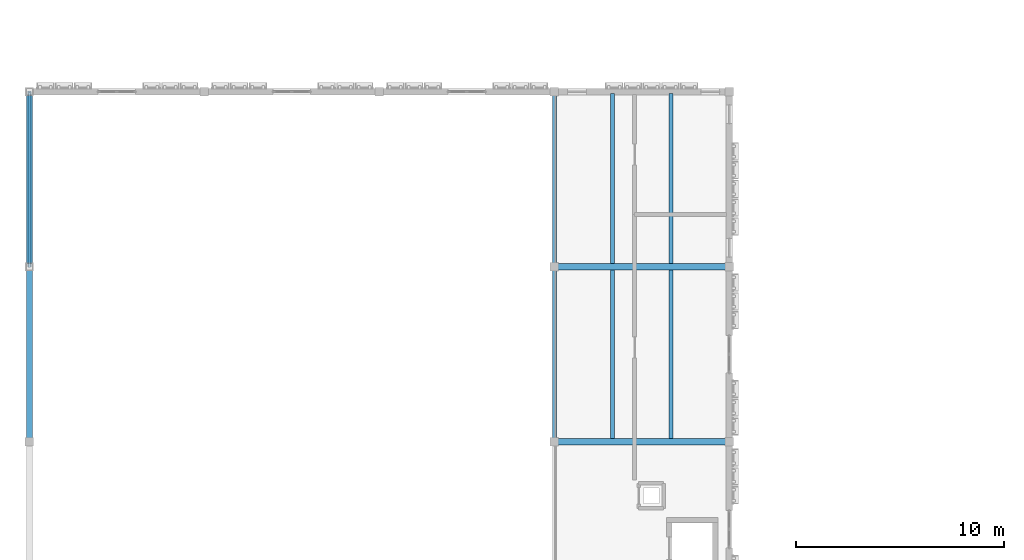
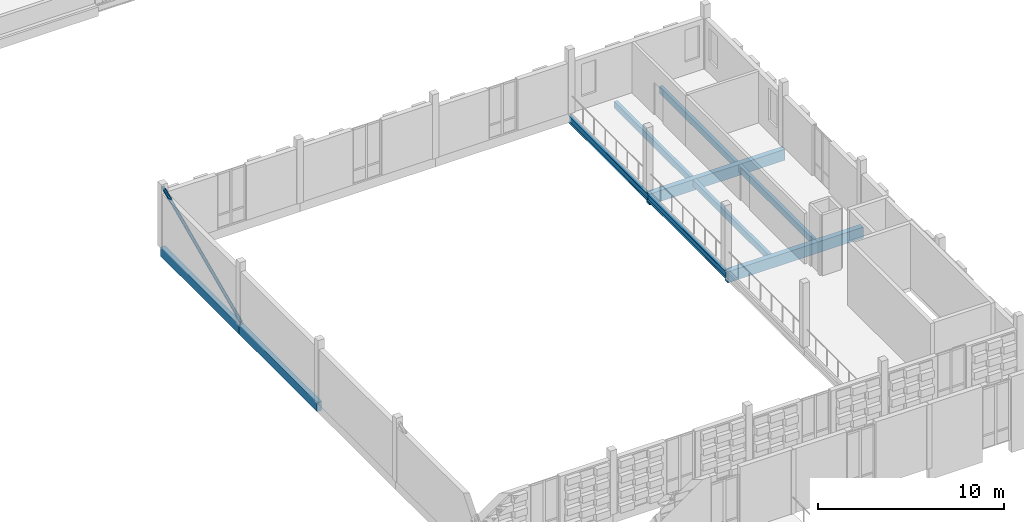
# One storey, part 11 of 81: 10 beams, 1 member.
"""IFC4 building model written with IfcOpenShell, lengths in metres."""

from ifc_helpers import new_model, si_unit, direction, frame, origin, origin_2d, place, context, subcontext, project, spatial, rectangle, hollow_circle, i_section, extrude, material, material_profile, profile_set, type_object, element, save


model = new_model("IFC4")

# Units and contexts
model_context = context("Model", 3, precision=1e-05, world=origin(), true_north=direction((0.0, 1.0)))
body_context = subcontext(model_context, "Body", "Model", "MODEL_VIEW")
ifc_project = project(units=[si_unit("LENGTHUNIT", "METRE"), si_unit("AREAUNIT", "SQUARE_METRE"), si_unit("VOLUMEUNIT", "CUBIC_METRE"), si_unit("PLANEANGLEUNIT", "RADIAN"), si_unit("MASSUNIT", "GRAM", prefix="KILO")], contexts=[model_context])

# Site, building, storey
site_placement = place(None, origin())
site = spatial("IfcSite", under=ifc_project, at=site_placement, CompositionType="ELEMENT")
building_placement = place(site_placement, origin())
building = spatial("IfcBuilding", under=site, at=building_placement, Name="Kahlenmark Community Centre", CompositionType="ELEMENT")
storey_placement = place(building_placement, frame((0.0, 0.0, 9.60009765625)))
storey = spatial("IfcBuildingStorey", under=building, at=storey_placement, Name="L02", CompositionType="ELEMENT", Elevation=9.60009765625)

# Beams
ifc_material_1 = material(Name="Glulam GL32h", Category="wood")
ifc_material_profile_1 = material_profile(ifc_material_1, rectangle(XDim=0.320068359375, YDim=0.719970703125, at=origin_2d()), Name="GL32h 320x720")
ifc_profile_set_1 = profile_set([ifc_material_profile_1], Name="Glulam GL32h")
beam_type_1 = type_object("IfcBeamType", Name="BT-BEAM-GL32h320x720", PredefinedType="BEAM", material=ifc_profile_set_1)
for number, where, z_axis, x_axis, name in (
    (1, (29.199951171875, 59.199951171875, -0.580078125), (1.0, 0.0, 0.0), (0.0, 1.0, 0.0), "L02 beam BG-GL32h320x720"),
    (2, (29.199951171875, 67.60009765625, -0.580078125), (1.0, 0.0, 0.0), (0.0, 1.0, 0.0), "L02 beam BG-GL32h320x720"),
):
    element("IfcBeam", number, at=place(storey_placement, frame(where, z_axis=z_axis, x_axis=x_axis)), inside=storey, type_object=beam_type_1, Name=name, PredefinedType="BEAM", context=body_context, shape_type="SweptSolid", body=[
        extrude(rectangle(XDim=0.320068359375, YDim=0.719970703125, at=origin_2d()), origin(), (0.0, 0.0, 1.0), 8.400146484375),
    ])
ifc_material_2 = material(Name="Glulam GL28h", Category="wood")
ifc_material_profile_2 = material_profile(ifc_material_2, rectangle(XDim=0.199951171875, YDim=0.43994140625, at=origin_2d()), Name="GL28h 200x440")
ifc_profile_set_2 = profile_set([ifc_material_profile_2], Name="Glulam GL28h")
beam_type_2 = type_object("IfcBeamType", Name="BT-JOIST-GL28h200x440", PredefinedType="JOIST", material=ifc_profile_set_2)
for number, where, z_axis, x_axis, name in (
    (3, (32.0, 59.35791015625, -0.440185546875), (0.0, 1.0, 0.0), (-1.0, 0.0, 0.0), "L02 joist BJ-GL28h200x440"),
    (4, (34.800048828125, 59.35791015625, -0.440185546875), (0.0, 1.0, 0.0), (-1.0, 0.0, 0.0), "L02 joist BJ-GL28h200x440"),
):
    element("IfcBeam", number, at=place(storey_placement, frame(where, z_axis=z_axis, x_axis=x_axis)), inside=storey, type_object=beam_type_2, Name=name, PredefinedType="JOIST", context=body_context, shape_type="SweptSolid", body=[
        extrude(rectangle(XDim=0.199951171875, YDim=0.43994140625, at=origin_2d()), origin(), (0.0, 0.0, 1.0), 8.083984375),
    ])
for number, where, z_axis, x_axis, name in (
    (5, (32.0, 67.758056640625, -0.440185546875), (0.0, 1.0, 0.0), (-1.0, 0.0, 0.0), "L02 joist BJ-GL28h200x440"),
    (6, (34.800048828125, 67.758056640625, -0.440185546875), (0.0, 1.0, 0.0), (-1.0, 0.0, 0.0), "L02 joist BJ-GL28h200x440"),
):
    element("IfcBeam", number, at=place(storey_placement, frame(where, z_axis=z_axis, x_axis=x_axis)), inside=storey, type_object=beam_type_2, Name=name, PredefinedType="JOIST", context=body_context, shape_type="SweptSolid", body=[
        extrude(rectangle(XDim=0.199951171875, YDim=0.43994140625, at=origin_2d()), origin(), (0.0, 0.0, 1.0), 8.14892578125),
    ])
ifc_material_profile_3 = material_profile(ifc_material_1, rectangle(XDim=0.280029296875, YDim=0.60009765625, at=origin_2d()), Name="GL32h 280x600")
ifc_profile_set_3 = profile_set([ifc_material_profile_3], Name="Glulam GL32h")
beam_type_3 = type_object("IfcBeamType", Name="BT-SPANDREL-GL32h280x600", PredefinedType="SPANDREL", material=ifc_profile_set_3)
beam_1_placement = place(storey_placement, frame((4.0, 59.199951171875, -0.300048828125), z_axis=(0.0, 1.0, 0.0), x_axis=(-1.0, 0.0, 0.0)))
element("IfcBeam", 7, at=beam_1_placement, inside=storey, type_object=beam_type_3, Name="L02 spandrel SP-GL32h280x600", PredefinedType="SPANDREL", context=body_context, shape_type="SweptSolid", body=[
    extrude(rectangle(XDim=0.280029296875, YDim=0.60009765625, at=origin_2d()), origin(), (0.0, 0.0, 1.0), 8.400146484375),
])
beam_2_placement = place(storey_placement, frame((4.0, 67.60009765625, -0.300048828125), z_axis=(0.0, 1.0, 0.0), x_axis=(-1.0, 0.0, 0.0)))
element("IfcBeam", 8, at=beam_2_placement, inside=storey, type_object=beam_type_3, Name="L02 spandrel SP-GL32h280x600", PredefinedType="SPANDREL", context=body_context, shape_type="SweptSolid", body=[
    extrude(rectangle(XDim=0.280029296875, YDim=0.60009765625, at=origin_2d()), origin(), (0.0, 0.0, 1.0), 8.39990234375),
])
ifc_material_3 = material(Name="Steel S355", Category="steel")
ifc_material_profile_4 = material_profile(ifc_material_3, i_section(OverallWidth=0.18994140625, OverallDepth=0.449951171875, WebThickness=0.009521484375, FlangeThickness=0.0146484375, at=origin_2d()), Name="IPE 450")
ifc_profile_set_4 = profile_set([ifc_material_profile_4], Name="Steel S355")
beam_type_4 = type_object("IfcBeamType", Name="BT-SPANDREL-IPE450", PredefinedType="SPANDREL", material=ifc_profile_set_4)
beam_3_placement = place(storey_placement, frame((29.199951171875, 59.199951171875, -0.445068359375), z_axis=(0.0, 1.0, 0.0), x_axis=(-1.0, 0.0, 0.0)))
element("IfcBeam", 9, at=beam_3_placement, inside=storey, type_object=beam_type_4, Name="L02 spandrel SP-IPE450", PredefinedType="SPANDREL", context=body_context, shape_type="SweptSolid", body=[
    extrude(i_section(OverallWidth=0.18994140625, OverallDepth=0.449951171875, WebThickness=0.009521484375, FlangeThickness=0.0146484375, at=origin_2d()), origin(), (0.0, 0.0, 1.0), 8.400146484375),
])
beam_4_placement = place(storey_placement, frame((29.199951171875, 67.60009765625, -0.445068359375), z_axis=(0.0, 1.0, 0.0), x_axis=(-1.0, 0.0, 0.0)))
element("IfcBeam", 10, at=beam_4_placement, inside=storey, type_object=beam_type_4, Name="L02 spandrel SP-IPE450", PredefinedType="SPANDREL", context=body_context, shape_type="SweptSolid", body=[
    extrude(i_section(OverallWidth=0.18994140625, OverallDepth=0.449951171875, WebThickness=0.009521484375, FlangeThickness=0.0146484375, at=origin_2d()), origin(), (0.0, 0.0, 1.0), 8.39990234375),
])

# Member
ifc_material_profile_5 = material_profile(ifc_material_3, hollow_circle(Radius=0.096923828125, WallThickness=0.008056640625, at=origin_2d()), Name="CHS 193.7x8")
ifc_profile_set_5 = profile_set([ifc_material_profile_5], Name="Steel S355")
member_type = type_object("IfcMemberType", Name="MT-BRACE-CHS193.7x8", PredefinedType="BRACE", material=ifc_profile_set_5)
member_placement = place(storey_placement, frame((4.0, 67.60009765625, 0.14990234375), z_axis=(0.0, 0.913136118269, 0.407654792089), x_axis=(-1.0, 0.0, 0.0)))
element("IfcMember", 11, at=member_placement, inside=storey, type_object=member_type, Name="L02 brace BF-DIAG", PredefinedType="BRACE", context=body_context, shape_type="SweptSolid", body=[
    extrude(hollow_circle(Radius=0.096923828125, WallThickness=0.008056640625, at=origin_2d()), origin(), (0.0, 0.0, 1.0), 9.198974609375),
])

save(model, "model.ifc")
